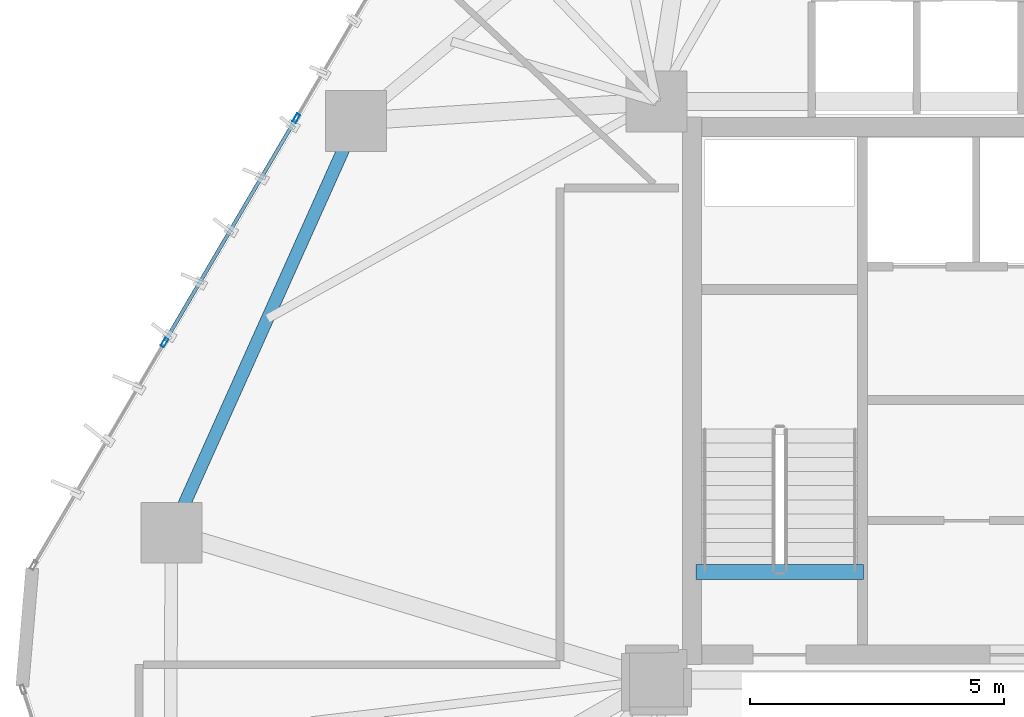
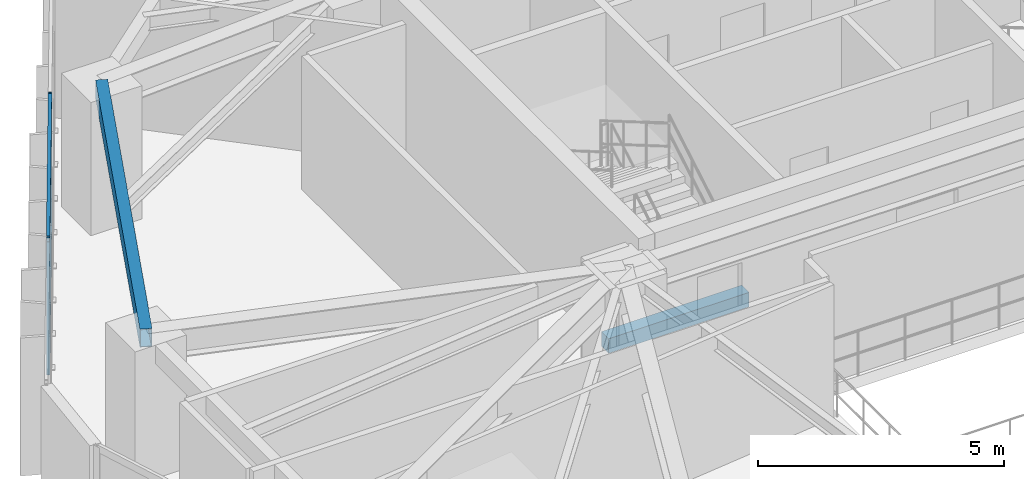
# One storey, part 8 of 20: 4 members, 2 beams, 1 element without a shape of its own.
"""IFC4 building model written with IfcOpenShell, lengths in metres."""

from ifc_helpers import new_model, si_unit, direction, frame, origin, origin_2d, place, context, subcontext, project, spatial, rectangle, hollow_rectangle, extrude, source, transform, mapped, material, layer, layer_set, material_profile, profile_set, type_object, type_shapes, element, aggregate, save


model = new_model("IFC4")

# Units and contexts
model_context = context("Model", 3, precision=1e-05, world=origin(), true_north=direction((0.0, 1.0)))
body_context = subcontext(model_context, "Body", "Model", "MODEL_VIEW")
ifc_project = project(units=[si_unit("LENGTHUNIT", "METRE"), si_unit("AREAUNIT", "SQUARE_METRE"), si_unit("VOLUMEUNIT", "CUBIC_METRE"), si_unit("PLANEANGLEUNIT", "RADIAN"), si_unit("MASSUNIT", "GRAM", prefix="KILO")], contexts=[model_context])

# Site, building, storey
site_placement = place(None, origin())
site = spatial("IfcSite", under=ifc_project, at=site_placement, CompositionType="ELEMENT")
building_placement = place(site_placement, origin())
building = spatial("IfcBuilding", under=site, at=building_placement, Name="Talar Marvaseh", CompositionType="ELEMENT")
storey_placement = place(building_placement, frame((0.0, 0.0, 136.199951171875)))
storey = spatial("IfcBuildingStorey", under=building, at=storey_placement, Name="L35", CompositionType="ELEMENT", Elevation=136.199951171875)

# Beams
ifc_material_1 = material(Name="Concrete C40/50", Category="concrete")
ifc_material_profile_1 = material_profile(ifc_material_1, rectangle(XDim=0.300048828125, YDim=0.360107421875, at=origin_2d()), Name="RC300x360")
ifc_profile_set_1 = profile_set([ifc_material_profile_1], Name="Concrete C40/50")
beam_type_1 = type_object("IfcBeamType", Name="Concrete Stair Landing Trimmer Beam RC300x360", PredefinedType="SPANDREL", material=ifc_profile_set_1)
beam_1_placement = place(storey_placement, frame((22.780029296875, 27.6298828125, -0.179931640625), z_axis=(-1.0, 0.0, 0.0), x_axis=(0.0, -1.0, 0.0)))
element("IfcBeam", 1, at=beam_1_placement, inside=storey, type_object=beam_type_1, Name="L35 ST-1 Stair Nosing Trimmer Beam", PredefinedType="SPANDREL", context=body_context, shape_type="SweptSolid", body=[
    extrude(rectangle(XDim=0.300048828125, YDim=0.360107421875, at=origin_2d()), origin(), (0.0, 0.0, 1.0), 3.300048828125),
])
ifc_material_2 = material(Name="Steel S355", Category="steel")
ifc_material_profile_2 = material_profile(ifc_material_2, hollow_rectangle(XDim=0.25, YDim=0.449951171875, WallThickness=0.01611328125, at=origin_2d()), Name="RHS450x250x16")
ifc_profile_set_2 = profile_set([ifc_material_profile_2], Name="Steel S355")
beam_type_2 = type_object("IfcBeamType", Name="Zone 2 Perimeter Spandrel Beam RHS450x250x16", PredefinedType="SPANDREL", material=ifc_profile_set_2)
beam_2_placement = place(storey_placement, frame((9.137939453125, 28.402099609375, 3.0849609375), z_axis=(0.409461733275, 0.912327292688, 0.0), x_axis=(-0.912327292688, 0.409461733275, 0.0)))
element("IfcBeam", 2, at=beam_2_placement, inside=storey, type_object=beam_type_2, Name="L35 Zone 2 Perimeter Spandrel Beam RHS450x250x16", PredefinedType="SPANDREL", context=body_context, shape_type="SweptSolid", body=[
    extrude(hollow_rectangle(XDim=0.25, YDim=0.449951171875, WallThickness=0.01611328125, at=origin_2d()), origin(), (0.0, 0.0, 1.0), 8.894775390625),
])

# Curtain wall, members
ifc_material_3 = material(Name="Architectural Aluminium", Category="aluminium")
ifc_layer = layer(ifc_material_3, 0.199951171875)
ifc_layer_set = layer_set([ifc_layer], Name="Architectural Aluminium")
curtain_wall_type = type_object("IfcCurtainWallType", Name="Unitised Acoustic Library Curtain Wall Z2", PredefinedType="NOTDEFINED", material=ifc_layer_set)
curtain_wall_placement = place(storey_placement, origin())
curtain_wall = element("IfcCurtainWall", 3, at=curtain_wall_placement, inside=storey, type_object=curtain_wall_type, Name="L35 Unitised Acoustic Library Curtain Wall Z2", PredefinedType="NOTDEFINED")
ifc_material_profile_3 = material_profile(ifc_material_3, hollow_rectangle(XDim=0.074951171875, YDim=0.179931640625, WallThickness=0.0048828125, at=origin_2d()), Name="RHS180x75x5")
ifc_profile_set_3 = profile_set([ifc_material_profile_3], Name="Architectural Aluminium")
member_type_1 = type_object("IfcMemberType", Name="Unitised Curtain Wall Standard Mullion RHS180x75x5", PredefinedType="MULLION", material=ifc_profile_set_3)
shared_shape_1 = source(origin(), body_context, "Body", "SweptSolid", [
    extrude(hollow_rectangle(XDim=0.074951171875, YDim=0.179931640625, WallThickness=0.0048828125, at=origin_2d()), origin(), (0.0, 0.0, 1.0), 3.31005859375),
])
type_shapes(member_type_1, [shared_shape_1])
member_1_placement = place(storey_placement, frame((9.002197265625, 32.151611328125, 0.0), z_axis=(0.0, 0.0, 1.0), x_axis=(-0.862232890968, 0.506512035131, 0.0)))
member_1 = element("IfcMember", 4, at=member_1_placement, type_object=member_type_1, Name="CW-Z2 mullion 2", PredefinedType="MULLION", context=body_context, shape_type="MappedRepresentation", body=[
    mapped(shared_shape_1, transform((0.0, 0.0, 0.0), x_axis=(1.0, 0.0, 0.0), y_axis=(0.0, 1.0, 0.0), z_axis=(0.0, 0.0, 1.0), scale=1.0)),
])
member_2_placement = place(storey_placement, frame((11.6005859375, 36.574951171875, 0.0), z_axis=(0.0, 0.0, 1.0), x_axis=(-0.862232890968, 0.506512035131, 0.0)))
member_2 = element("IfcMember", 5, at=member_2_placement, type_object=member_type_1, Name="CW-Z2 mullion 3", PredefinedType="MULLION", context=body_context, shape_type="MappedRepresentation", body=[
    mapped(shared_shape_1, transform((0.0, 0.0, 0.0), x_axis=(1.0, 0.0, 0.0), y_axis=(0.0, 1.0, 0.0), z_axis=(0.0, 0.0, 1.0), scale=1.0)),
])
ifc_material_profile_4 = material_profile(ifc_material_3, hollow_rectangle(XDim=0.074951171875, YDim=0.179931640625, WallThickness=0.0048828125, at=origin_2d()), Name="RHS180x75x5")
ifc_profile_set_4 = profile_set([ifc_material_profile_4], Name="Architectural Aluminium")
member_type_2 = type_object("IfcMemberType", Name="Unitised Curtain Wall Transom RHS180x75x5", PredefinedType="USERDEFINED", material=ifc_profile_set_4)
shared_shape_2 = source(origin(), body_context, "Body", "SweptSolid", [
    extrude(hollow_rectangle(XDim=0.074951171875, YDim=0.179931640625, WallThickness=0.0048828125, at=origin_2d()), origin(), (0.0, 0.0, 1.0), 5.05517578125),
])
type_shapes(member_type_2, [shared_shape_2])
member_3_placement = place(storey_placement, frame((9.021240234375, 32.18408203125, 0.03759765625), z_axis=(0.506526159988, 0.862224593275, 0.0), x_axis=(-0.862224593275, 0.506526159988, 0.0)))
member_3 = element("IfcMember", 6, at=member_3_placement, type_object=member_type_2, Name="CW-Z2 transom 2.1", ObjectType="TRANSOM", PredefinedType="USERDEFINED", context=body_context, shape_type="MappedRepresentation", body=[
    mapped(shared_shape_2, transform((0.0, 0.0, 0.0), x_axis=(1.0, 0.0, 0.0), y_axis=(0.0, 1.0, 0.0), z_axis=(0.0, 0.0, 1.0), scale=1.0)),
])
member_4_placement = place(storey_placement, frame((9.021240234375, 32.18408203125, 3.2724609375), z_axis=(0.506526159988, 0.862224593275, 0.0), x_axis=(-0.862224593275, 0.506526159988, 0.0)))
member_4 = element("IfcMember", 7, at=member_4_placement, type_object=member_type_2, Name="CW-Z2 transom 2.2", ObjectType="TRANSOM", PredefinedType="USERDEFINED", context=body_context, shape_type="MappedRepresentation", body=[
    mapped(shared_shape_2, transform((0.0, 0.0, 0.0), x_axis=(1.0, 0.0, 0.0), y_axis=(0.0, 1.0, 0.0), z_axis=(0.0, 0.0, 1.0), scale=1.0)),
])
aggregate(curtain_wall, [member_1, member_2, member_3, member_4])

save(model, "model.ifc")
